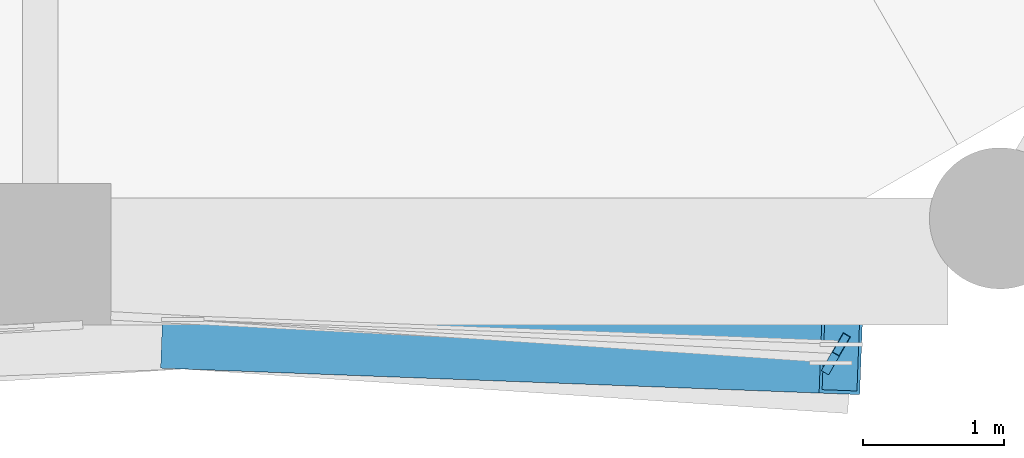
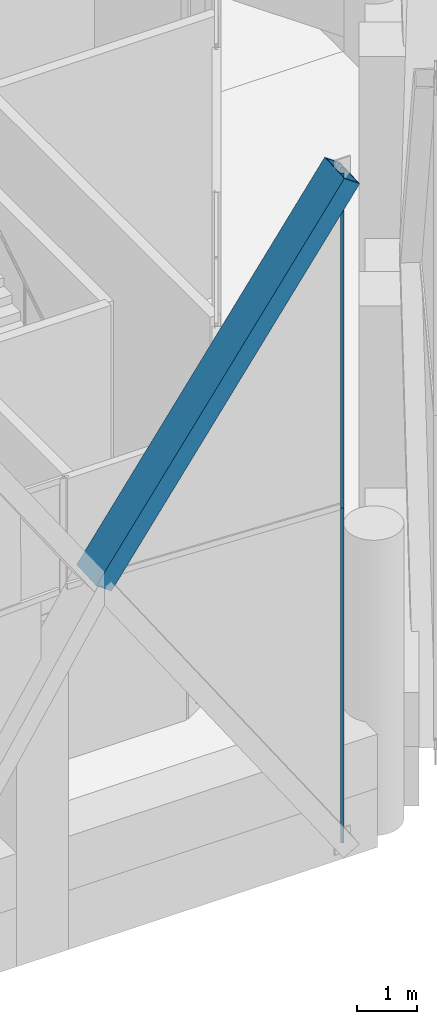
# One storey, part 11 of 43: 3 members, 1 element without a shape of its own.
"""IFC4 building model written with IfcOpenShell, lengths in metres."""

from ifc_helpers import new_model, si_unit, direction, frame, origin, origin_2d, place, context, subcontext, project, spatial, hollow_rectangle, extrude, material, material_profile, profile_set, type_object, element, aggregate, save


model = new_model("IFC4")

# Units and contexts
model_context = context("Model", 3, precision=1e-05, world=origin(), true_north=direction((0.0, 1.0)))
body_context = subcontext(model_context, "Body", "Model", "MODEL_VIEW")
ifc_project = project(units=[si_unit("LENGTHUNIT", "METRE"), si_unit("AREAUNIT", "SQUARE_METRE"), si_unit("VOLUMEUNIT", "CUBIC_METRE"), si_unit("PLANEANGLEUNIT", "RADIAN"), si_unit("MASSUNIT", "GRAM", prefix="KILO")], contexts=[model_context])

# Site, building, storey
site_placement = place(None, origin())
site = spatial("IfcSite", under=ifc_project, at=site_placement, CompositionType="ELEMENT")
building_placement = place(site_placement, origin())
building = spatial("IfcBuilding", under=site, at=building_placement, Name="Ostrander Bayou Hotel Tower", CompositionType="ELEMENT")
storey_placement = place(building_placement, frame((0.0, 0.0, 151.0)))
storey = spatial("IfcBuildingStorey", under=building, at=storey_placement, Name="L37", CompositionType="ELEMENT", Elevation=151.0)

# Curtain wall, members
ifc_material_1 = material(Name="Aluminium and clear glass", Category="aluminium")
curtain_wall_type = type_object("IfcCurtainWallType", Name="CW-LAT lattice glazing", PredefinedType="NOTDEFINED", material=ifc_material_1)
curtain_wall_placement = place(storey_placement, origin())
curtain_wall = element("IfcCurtainWall", 1, at=curtain_wall_placement, inside=storey, type_object=curtain_wall_type, Name="CW-LAT L37 S 1", PredefinedType="NOTDEFINED")
ifc_material_2 = material(Name="Aluminium", Category="aluminium")
ifc_material_profile_1 = material_profile(ifc_material_2, hollow_rectangle(XDim=0.06005859375, YDim=0.159912109375, WallThickness=0.00390625, at=origin_2d()))
ifc_profile_set_1 = profile_set([ifc_material_profile_1], Name="Aluminium")
member_type_1 = type_object("IfcMemberType", Name="CW-LA mullion 60 x 160 mm", PredefinedType="MULLION", material=ifc_profile_set_1)
member_1_placement = place(storey_placement, frame((9.218505859375, -19.070068359375, -0.60009765625), z_axis=(0.005605838716, 0.009728842675, 0.999936960109), x_axis=(-0.866453581547, 0.499257639925, 0.0)))
member_1 = element("IfcMember", 2, at=member_1_placement, type_object=member_type_1, Name="CW-LAT mullion 8", PredefinedType="MULLION", context=body_context, shape_type="SweptSolid", body=[
    extrude(hollow_rectangle(XDim=0.06005859375, YDim=0.159912109375, WallThickness=0.00390625, at=origin_2d()), origin(), (0.0, 0.0, 1.0), 6.75048828125),
])
member_2_placement = place(storey_placement, frame((9.25634765625, -19.00439453125, 6.14990234375), z_axis=(0.005605842646, 0.009656516042, 0.99993766117), x_axis=(-0.864834315404, 0.502057374111, 0.0)))
member_2 = element("IfcMember", 3, at=member_2_placement, type_object=member_type_1, Name="CW-LAT mullion 9", PredefinedType="MULLION", context=body_context, shape_type="SweptSolid", body=[
    extrude(hollow_rectangle(XDim=0.06005859375, YDim=0.159912109375, WallThickness=0.00390625, at=origin_2d()), origin(), (0.0, 0.0, 1.0), 6.75048828125),
])
aggregate(curtain_wall, [member_1, member_2])

# Member
ifc_material_3 = material(Name="Steel ASTM A572 Gr 50", Category="steel")
ifc_material_profile_2 = material_profile(ifc_material_3, hollow_rectangle(XDim=0.699951171875, YDim=0.35009765625, WallThickness=0.02490234375, at=origin_2d()))
ifc_profile_set_2 = profile_set([ifc_material_profile_2], Name="Steel ASTM A572 Gr 50")
member_type_2 = type_object("IfcMemberType", Name="LT1 lattice member box 700 x 350 x 25 mm", PredefinedType="BRACE", material=ifc_profile_set_2)
member_3_placement = place(storey_placement, frame((4.628173828125, -18.762939453125, 6.14990234375), z_axis=(0.568496967619, -0.021476287705, 0.822404989573), x_axis=(0.037750385021, 0.999287200174, 0.0)))
element("IfcMember", 4, at=member_3_placement, inside=storey, type_object=member_type_2, Name="LT1 L37 S 8", PredefinedType="BRACE", context=body_context, shape_type="SweptSolid", body=[
    extrude(hollow_rectangle(XDim=0.699951171875, YDim=0.35009765625, WallThickness=0.02490234375, at=origin_2d()), origin(), (0.0, 0.0, 1.0), 8.20751953125),
])

save(model, "model.ifc")
